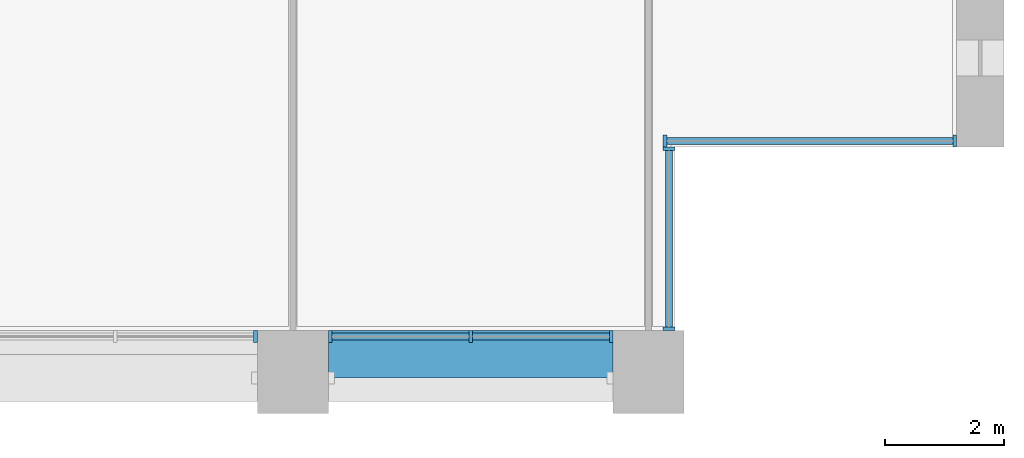
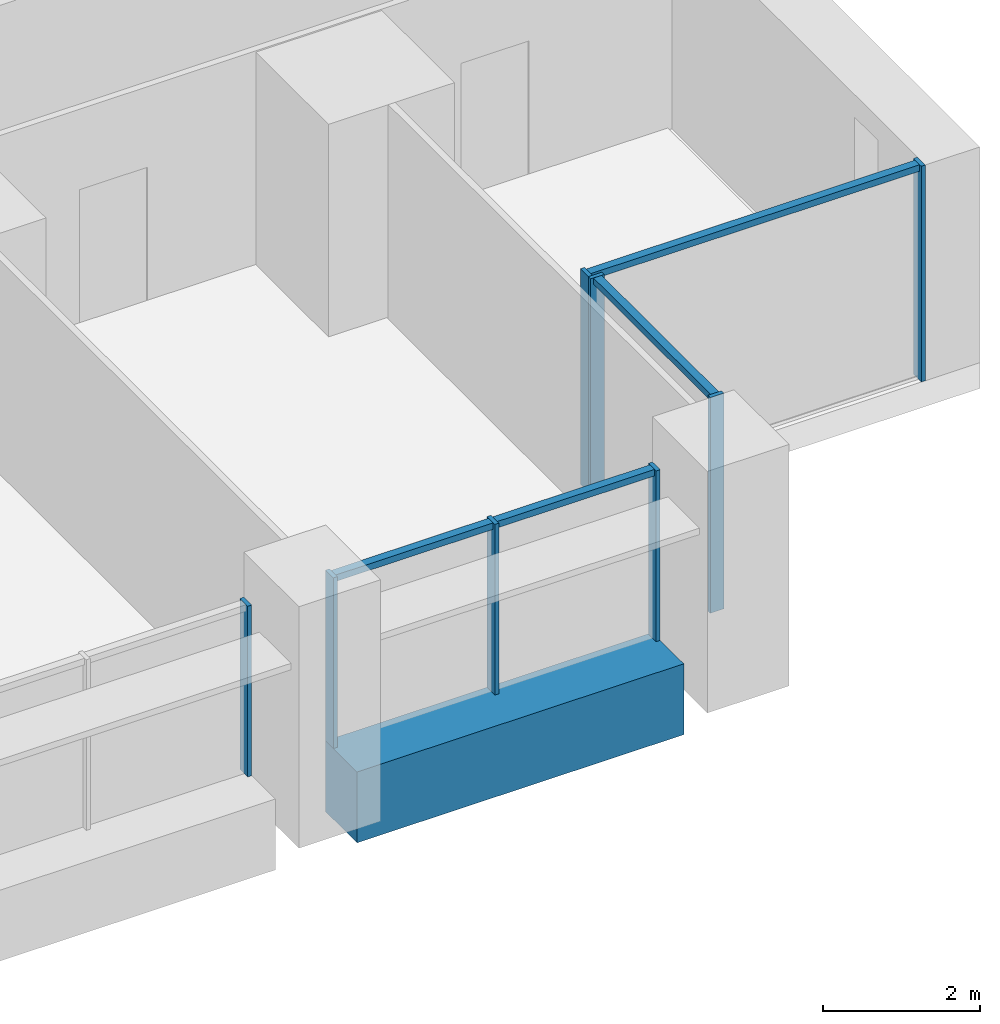
# One storey, part 5 of 18: 12 members, 1 beam, 4 elements without a shape of their own.
"""IFC4 building model written with IfcOpenShell, lengths in metres."""

from ifc_helpers import new_model, si_unit, direction, frame, origin, origin_2d, place, context, subcontext, project, spatial, rectangle, extrude, material, material_profile, profile_set, type_object, element, aggregate, save


model = new_model("IFC4")

# Units and contexts
model_context = context("Model", 3, precision=1e-05, world=origin(), true_north=direction((0.0, 1.0)))
body_context = subcontext(model_context, "Body", "Model", "MODEL_VIEW")
ifc_project = project(units=[si_unit("LENGTHUNIT", "METRE"), si_unit("AREAUNIT", "SQUARE_METRE"), si_unit("VOLUMEUNIT", "CUBIC_METRE"), si_unit("PLANEANGLEUNIT", "RADIAN"), si_unit("MASSUNIT", "GRAM", prefix="KILO")], contexts=[model_context])

# Site, building, storey
site_placement = place(None, origin())
site = spatial("IfcSite", under=ifc_project, at=site_placement, CompositionType="ELEMENT")
building_placement = place(site_placement, origin())
building = spatial("IfcBuilding", under=site, at=building_placement, Name="Calvaro Tower", CompositionType="ELEMENT")
storey_placement = place(building_placement, frame((0.0, 0.0, 26.25)))
storey = spatial("IfcBuildingStorey", under=building, at=storey_placement, Name="L05", CompositionType="ELEMENT", Elevation=26.25)

# Curtain wall, member
ifc_material_1 = material(Name="Anodised aluminium", Category="aluminium")
curtain_wall_type = type_object("IfcCurtainWallType", Name="Office curtain wall, lower zone", PredefinedType="NOTDEFINED", material=ifc_material_1)
curtain_wall_1_placement = place(storey_placement, origin())
curtain_wall_1 = element("IfcCurtainWall", 1, at=curtain_wall_1_placement, inside=storey, type_object=curtain_wall_type, Name="CW1 south curtain wall", PredefinedType="NOTDEFINED")
ifc_material_2 = material(Name="Anodised aluminium", Category="aluminium")
ifc_material_profile_1 = material_profile(ifc_material_2, rectangle(XDim=0.199951171875, YDim=0.06005859375, at=origin_2d()), Name="Mullion S1 60 x 200")
ifc_profile_set_1 = profile_set([ifc_material_profile_1], Name="Anodised aluminium")
member_type_1 = type_object("IfcMemberType", Name="Mullion S1 60 x 200", PredefinedType="MULLION", material=ifc_profile_set_1)
member_1_placement = place(storey_placement, frame((65.3701171875, 1.300048828125, 0.0), z_axis=(0.0, 0.0, 1.0), x_axis=(0.0, 1.0, 0.0)))
member_1 = element("IfcMember", 2, at=member_1_placement, type_object=member_type_1, Name="CW1 mullion 3", PredefinedType="MULLION", context=body_context, shape_type="SweptSolid", body=[
    extrude(rectangle(XDim=0.199951171875, YDim=0.06005859375, at=origin_2d()), origin(), (0.0, 0.0, 1.0), 2.64990234375),
])
aggregate(curtain_wall_1, [member_1])

# Curtain wall, members
curtain_wall_2_placement = place(storey_placement, origin())
curtain_wall_2 = element("IfcCurtainWall", 3, at=curtain_wall_2_placement, inside=storey, type_object=curtain_wall_type, Name="CW1 south curtain wall", PredefinedType="NOTDEFINED")
member_2_placement = place(storey_placement, frame((66.6298828125, 1.300048828125, 0.0), z_axis=(0.0, 0.0, 1.0), x_axis=(0.0, 1.0, 0.0)))
member_2 = element("IfcMember", 4, at=member_2_placement, type_object=member_type_1, Name="CW1 mullion 1", PredefinedType="MULLION", context=body_context, shape_type="SweptSolid", body=[
    extrude(rectangle(XDim=0.199951171875, YDim=0.06005859375, at=origin_2d()), origin(), (0.0, 0.0, 1.0), 2.64990234375),
])
member_3_placement = place(storey_placement, frame((69.0, 1.300048828125, 0.0), z_axis=(0.0, 0.0, 1.0), x_axis=(0.0, 1.0, 0.0)))
member_3 = element("IfcMember", 5, at=member_3_placement, type_object=member_type_1, Name="CW1 mullion 2", PredefinedType="MULLION", context=body_context, shape_type="SweptSolid", body=[
    extrude(rectangle(XDim=0.199951171875, YDim=0.06005859375, at=origin_2d()), origin(), (0.0, 0.0, 1.0), 2.64990234375),
])
member_4_placement = place(storey_placement, frame((71.3701171875, 1.300048828125, 0.0), z_axis=(0.0, 0.0, 1.0), x_axis=(0.0, 1.0, 0.0)))
member_4 = element("IfcMember", 6, at=member_4_placement, type_object=member_type_1, Name="CW1 mullion 3", PredefinedType="MULLION", context=body_context, shape_type="SweptSolid", body=[
    extrude(rectangle(XDim=0.199951171875, YDim=0.06005859375, at=origin_2d()), origin(), (0.0, 0.0, 1.0), 2.64990234375),
])

curtain_wall_3_placement = place(storey_placement, origin())
curtain_wall_3 = element("IfcCurtainWall", 7, at=curtain_wall_3_placement, inside=storey, type_object=curtain_wall_type, Name="CW1 corner curtain wall", PredefinedType="NOTDEFINED")
member_5_placement = place(storey_placement, frame((72.35009765625, 1.429931640625, 0.0), z_axis=(0.0, 0.0, 1.0), x_axis=(-1.0, 0.0, 0.0)))
member_5 = element("IfcMember", 8, at=member_5_placement, type_object=member_type_1, Name="CW1 mullion 1", PredefinedType="MULLION", context=body_context, shape_type="SweptSolid", body=[
    extrude(rectangle(XDim=0.199951171875, YDim=0.06005859375, at=origin_2d()), origin(), (0.0, 0.0, 1.0), 3.35009765625),
])
member_6_placement = place(storey_placement, frame((72.35009765625, 4.469970703125, 0.0), z_axis=(0.0, 0.0, 1.0), x_axis=(-1.0, 0.0, 0.0)))
member_6 = element("IfcMember", 9, at=member_6_placement, type_object=member_type_1, Name="CW1 mullion 2", PredefinedType="MULLION", context=body_context, shape_type="SweptSolid", body=[
    extrude(rectangle(XDim=0.199951171875, YDim=0.06005859375, at=origin_2d()), origin(), (0.0, 0.0, 1.0), 3.35009765625),
])

curtain_wall_4_placement = place(storey_placement, origin())
curtain_wall_4 = element("IfcCurtainWall", 10, at=curtain_wall_4_placement, inside=storey, type_object=curtain_wall_type, Name="CW1 corner curtain wall", PredefinedType="NOTDEFINED")
member_7_placement = place(storey_placement, frame((72.280029296875, 4.60009765625, 0.0), z_axis=(0.0, 0.0, 1.0), x_axis=(0.0, 1.0, 0.0)))
member_7 = element("IfcMember", 11, at=member_7_placement, type_object=member_type_1, Name="CW1 mullion 1", PredefinedType="MULLION", context=body_context, shape_type="SweptSolid", body=[
    extrude(rectangle(XDim=0.199951171875, YDim=0.06005859375, at=origin_2d()), origin(), (0.0, 0.0, 1.0), 3.35009765625),
])
member_8_placement = place(storey_placement, frame((77.169921875, 4.60009765625, 0.0), z_axis=(0.0, 0.0, 1.0), x_axis=(0.0, 1.0, 0.0)))
member_8 = element("IfcMember", 12, at=member_8_placement, type_object=member_type_1, Name="CW1 mullion 2", PredefinedType="MULLION", context=body_context, shape_type="SweptSolid", body=[
    extrude(rectangle(XDim=0.199951171875, YDim=0.06005859375, at=origin_2d()), origin(), (0.0, 0.0, 1.0), 3.35009765625),
])

# Beam
ifc_material_3 = material(Name="Concrete C50/60 precast", Category="concrete")
ifc_material_profile_2 = material_profile(ifc_material_3, rectangle(XDim=0.800048828125, YDim=1.10009765625, at=origin_2d()), Name="RC 800x1100")
ifc_profile_set_2 = profile_set([ifc_material_profile_2], Name="Concrete C50/60 precast")
beam_type = type_object("IfcBeamType", Name="Spandrel beam 800x1100 C50/60", PredefinedType="SPANDREL", material=ifc_profile_set_2)
beam_placement = place(storey_placement, frame((66.60009765625, 1.0, -0.550048828125), z_axis=(1.0, 0.0, 0.0), x_axis=(0.0, 1.0, 0.0)))
element("IfcBeam", 13, at=beam_placement, inside=storey, type_object=beam_type, Name="Spandrel beam", PredefinedType="SPANDREL", context=body_context, shape_type="SweptSolid", body=[
    extrude(rectangle(XDim=0.800048828125, YDim=1.10009765625, at=origin_2d()), origin(), (0.0, 0.0, 1.0), 4.7998046875),
])

# Member
ifc_material_4 = material(Name="Anodised aluminium", Category="aluminium")
ifc_material_profile_3 = material_profile(ifc_material_4, rectangle(XDim=0.1201171875, YDim=0.10009765625, at=origin_2d()), Name="Transom S1 100 x 120")
ifc_profile_set_3 = profile_set([ifc_material_profile_3], Name="Anodised aluminium")
member_type_2 = type_object("IfcMemberType", Name="Transom S1 100 x 120", PredefinedType="USERDEFINED", material=ifc_profile_set_3)
member_9_placement = place(storey_placement, frame((66.659912109375, 1.300048828125, 2.60009765625), z_axis=(1.0, 0.0, 0.0), x_axis=(0.0, 1.0, 0.0)))
member_9 = element("IfcMember", 14, at=member_9_placement, type_object=member_type_2, Name="CW1 transom 1.1", ObjectType="TRANSOM", PredefinedType="USERDEFINED", context=body_context, shape_type="SweptSolid", body=[
    extrude(rectangle(XDim=0.1201171875, YDim=0.10009765625, at=origin_2d()), origin(), (0.0, 0.0, 1.0), 2.31005859375),
])

member_10_placement = place(storey_placement, frame((69.030029296875, 1.300048828125, 2.60009765625), z_axis=(1.0, 0.0, 0.0), x_axis=(0.0, 1.0, 0.0)))
member_10 = element("IfcMember", 15, at=member_10_placement, type_object=member_type_2, Name="CW1 transom 2.1", ObjectType="TRANSOM", PredefinedType="USERDEFINED", context=body_context, shape_type="SweptSolid", body=[
    extrude(rectangle(XDim=0.1201171875, YDim=0.10009765625, at=origin_2d()), origin(), (0.0, 0.0, 1.0), 2.31005859375),
])

aggregate(curtain_wall_2, [member_2, member_3, member_4, member_9, member_10])

member_11_placement = place(storey_placement, frame((72.35009765625, 1.4599609375, 3.300048828125), z_axis=(0.0, 1.0, 0.0), x_axis=(-1.0, 0.0, 0.0)))
member_11 = element("IfcMember", 16, at=member_11_placement, type_object=member_type_2, Name="CW1 transom 1.1", ObjectType="TRANSOM", PredefinedType="USERDEFINED", context=body_context, shape_type="SweptSolid", body=[
    extrude(rectangle(XDim=0.1201171875, YDim=0.10009765625, at=origin_2d()), origin(), (0.0, 0.0, 1.0), 2.97998046875),
])

aggregate(curtain_wall_3, [member_5, member_6, member_11])

member_12_placement = place(storey_placement, frame((72.31005859375, 4.60009765625, 3.300048828125), z_axis=(1.0, 0.0, 0.0), x_axis=(0.0, 1.0, 0.0)))
member_12 = element("IfcMember", 17, at=member_12_placement, type_object=member_type_2, Name="CW1 transom 1.1", ObjectType="TRANSOM", PredefinedType="USERDEFINED", context=body_context, shape_type="SweptSolid", body=[
    extrude(rectangle(XDim=0.1201171875, YDim=0.10009765625, at=origin_2d()), origin(), (0.0, 0.0, 1.0), 4.829833984375),
])

aggregate(curtain_wall_4, [member_7, member_8, member_12])

save(model, "model.ifc")
